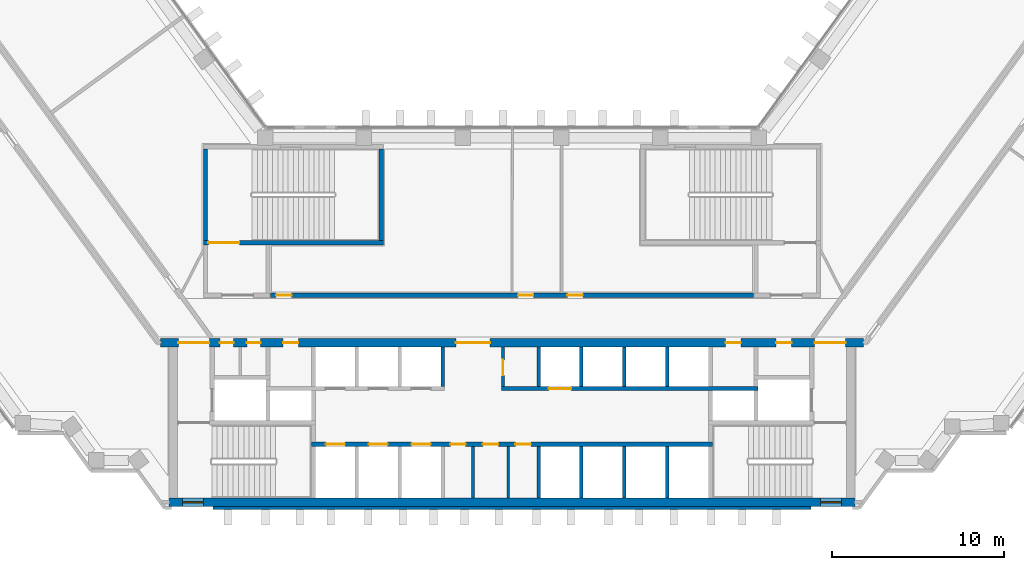
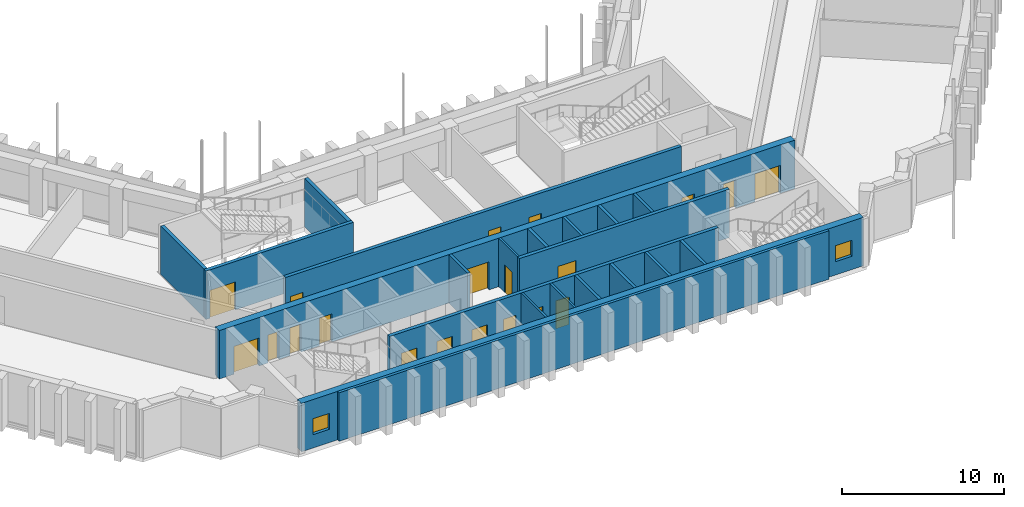
# One storey, part 12 of 19: 21 walls, 20 doors, 2 windows, 22 openings.
"""IFC4 building model written with IfcOpenShell, lengths in metres."""

from ifc_helpers import new_model, si_unit, direction, frame, frame_2d, origin, place, context, subcontext, project, spatial, rectangle, extrude, material, layer, layer_set, type_object, element, fill, save


model = new_model("IFC4")

# Units and contexts
model_context = context("Model", 3, precision=1e-05, world=origin(), true_north=direction((0.0, 1.0)))
body_context = subcontext(model_context, "Body", "Model", "MODEL_VIEW")
ifc_project = project(units=[si_unit("LENGTHUNIT", "METRE"), si_unit("AREAUNIT", "SQUARE_METRE"), si_unit("VOLUMEUNIT", "CUBIC_METRE"), si_unit("PLANEANGLEUNIT", "RADIAN"), si_unit("MASSUNIT", "GRAM", prefix="KILO")], contexts=[model_context])

# Site, building, storey
site_placement = place(None, origin())
site = spatial("IfcSite", under=ifc_project, at=site_placement, CompositionType="ELEMENT")
building_placement = place(site_placement, origin())
building = spatial("IfcBuilding", under=site, at=building_placement, Name="Quipu Civic Tower", CompositionType="ELEMENT")
storey_placement = place(building_placement, frame((0.0, 0.0, 35.0)))
storey = spatial("IfcBuildingStorey", under=building, at=storey_placement, Name="L07", CompositionType="ELEMENT", Elevation=35.0)

# Wall, openings, doors
ifc_material_1 = material(Name="Concrete C70/85", Category="concrete")
ifc_layer_1 = layer(ifc_material_1, 0.25)
ifc_layer_set_1 = layer_set([ifc_layer_1], Name="Concrete C70/85")
wall_type_1 = type_object("IfcWallType", Name="Core wall 250", PredefinedType="SHEAR", material=ifc_layer_set_1)
wall_1_placement = place(storey_placement, frame((11.699951171875, -7.375, 0.0), z_axis=(0.0, 0.0, 1.0), x_axis=(-1.0, 0.0, 0.0)))
wall_1 = element("IfcWall", 1, at=wall_1_placement, inside=storey, type_object=wall_type_1, Name="Core wall", PredefinedType="SHEAR", context=body_context, shape_type="SweptSolid", body=[
    extrude(rectangle(XDim=23.39990234375, YDim=0.25, at=frame_2d((11.699951171875, 0.0))), origin(), (0.0, 0.0, 1.0), 3.64990234375),
])
opening_1_placement = place(wall_1_placement, frame((21.449951171875, 0.0, 0.0)))
opening_1 = element("IfcOpeningElement", 2, at=opening_1_placement, cuts=wall_1, Name="Opening LD-LL1", PredefinedType="OPENING", context=body_context, shape_type="SweptSolid", body=[
    extrude(rectangle(XDim=1.10009765625, YDim=2.10009765625, at=frame_2d((0.550048828125, 1.050048828125))), frame((0.0, 0.135009765625, 0.0), z_axis=(0.0, -1.0, 0.0), x_axis=(1.0, 0.0, 0.0)), (0.0, 0.0, 1.0), 0.27001953125),
])
opening_2_placement = place(wall_1_placement, frame((18.949951171875, 0.0, 0.0)))
opening_2 = element("IfcOpeningElement", 3, at=opening_2_placement, cuts=wall_1, Name="Opening LD-LL2", PredefinedType="OPENING", context=body_context, shape_type="SweptSolid", body=[
    extrude(rectangle(XDim=1.10009765625, YDim=2.10009765625, at=frame_2d((0.550048828125, 1.050048828125))), frame((0.0, 0.135009765625, 0.0), z_axis=(0.0, -1.0, 0.0), x_axis=(1.0, 0.0, 0.0)), (0.0, 0.0, 1.0), 0.27001953125),
])
opening_3_placement = place(wall_1_placement, frame((16.449951171875, 0.0, 0.0)))
opening_3 = element("IfcOpeningElement", 4, at=opening_3_placement, cuts=wall_1, Name="Opening LD-LL3", PredefinedType="OPENING", context=body_context, shape_type="SweptSolid", body=[
    extrude(rectangle(XDim=1.10009765625, YDim=2.10009765625, at=frame_2d((0.550048828125, 1.050048828125))), frame((0.0, 0.135009765625, 0.0), z_axis=(0.0, -1.0, 0.0), x_axis=(1.0, 0.0, 0.0)), (0.0, 0.0, 1.0), 0.27001953125),
])
opening_4_placement = place(wall_1_placement, frame((14.39990234375, 0.0, 0.0)))
opening_4 = element("IfcOpeningElement", 5, at=opening_4_placement, cuts=wall_1, Name="Opening CD-01", PredefinedType="OPENING", context=body_context, shape_type="SweptSolid", body=[
    extrude(rectangle(XDim=0.89990234375, YDim=2.10009765625, at=frame_2d((0.449951171875, 1.050048828125))), frame((0.0, 0.135009765625, 0.0), z_axis=(0.0, -1.0, 0.0), x_axis=(1.0, 0.0, 0.0)), (0.0, 0.0, 1.0), 0.27001953125),
])
opening_5_placement = place(wall_1_placement, frame((12.5, 0.0, 0.0)))
opening_5 = element("IfcOpeningElement", 6, at=opening_5_placement, cuts=wall_1, Name="Opening CD-02", PredefinedType="OPENING", context=body_context, shape_type="SweptSolid", body=[
    extrude(rectangle(XDim=0.89990234375, YDim=2.10009765625, at=frame_2d((0.449951171875, 1.050048828125))), frame((0.0, 0.135009765625, 0.0), z_axis=(0.0, -1.0, 0.0), x_axis=(1.0, 0.0, 0.0)), (0.0, 0.0, 1.0), 0.27001953125),
])
opening_6_placement = place(wall_1_placement, frame((10.60009765625, 0.0, 0.0)))
opening_6 = element("IfcOpeningElement", 7, at=opening_6_placement, cuts=wall_1, Name="Opening CD-03", PredefinedType="OPENING", context=body_context, shape_type="SweptSolid", body=[
    extrude(rectangle(XDim=0.89990234375, YDim=2.10009765625, at=frame_2d((0.449951171875, 1.050048828125))), frame((0.0, 0.135009765625, 0.0), z_axis=(0.0, -1.0, 0.0), x_axis=(1.0, 0.0, 0.0)), (0.0, 0.0, 1.0), 0.27001953125),
])
ifc_material_2 = material(Name="Fire rated steel door", Category="steel")
door_type_1 = type_object("IfcDoorType", Name="Fire door FD60 900 x 2100", OperationType="NOTDEFINED", PredefinedType="DOOR", material=ifc_material_2)
door_1_placement = place(opening_4_placement, origin())
door_1 = element("IfcDoor", 8, at=door_1_placement, inside=storey, type_object=door_type_1, Name="WC door", OperationType="SINGLE_SWING_RIGHT", OverallHeight=2.10009765625, OverallWidth=0.89990234375, PredefinedType="DOOR", context=body_context, shape_type="SweptSolid", body=[
    extrude(rectangle(XDim=0.89990234375, YDim=2.10009765625, at=frame_2d((0.449951171875, 1.050048828125))), frame((0.0, 0.02490234375, 0.0), z_axis=(0.0, -1.0, 0.0), x_axis=(1.0, 0.0, 0.0)), (0.0, 0.0, 1.0), 0.050048828125),
])
fill(opening_4, door_1)
door_2_placement = place(opening_5_placement, origin())
door_2 = element("IfcDoor", 9, at=door_2_placement, inside=storey, type_object=door_type_1, Name="WC door", OperationType="SINGLE_SWING_RIGHT", OverallHeight=2.10009765625, OverallWidth=0.89990234375, PredefinedType="DOOR", context=body_context, shape_type="SweptSolid", body=[
    extrude(rectangle(XDim=0.89990234375, YDim=2.10009765625, at=frame_2d((0.449951171875, 1.050048828125))), frame((0.0, 0.02490234375, 0.0), z_axis=(0.0, -1.0, 0.0), x_axis=(1.0, 0.0, 0.0)), (0.0, 0.0, 1.0), 0.050048828125),
])
fill(opening_5, door_2)
door_3_placement = place(opening_6_placement, origin())
door_3 = element("IfcDoor", 10, at=door_3_placement, inside=storey, type_object=door_type_1, Name="WC door", OperationType="SINGLE_SWING_LEFT", OverallHeight=2.10009765625, OverallWidth=0.89990234375, PredefinedType="DOOR", context=body_context, shape_type="SweptSolid", body=[
    extrude(rectangle(XDim=0.89990234375, YDim=2.10009765625, at=frame_2d((0.449951171875, 1.050048828125))), frame((0.0, 0.02490234375, 0.0), z_axis=(0.0, -1.0, 0.0), x_axis=(1.0, 0.0, 0.0)), (0.0, 0.0, 1.0), 0.050048828125),
])
fill(opening_6, door_3)
ifc_material_3 = material(Name="Stainless steel", Category="steel")
door_type_2 = type_object("IfcDoorType", Name="Lift landing door 1100 x 2100", OperationType="DOUBLE_DOOR_SLIDING", PredefinedType="DOOR", material=ifc_material_3)
door_4_placement = place(opening_1_placement, origin())
door_4 = element("IfcDoor", 11, at=door_4_placement, inside=storey, type_object=door_type_2, Name="Landing door LL1", OperationType="DOUBLE_DOOR_SLIDING", OverallHeight=2.10009765625, OverallWidth=1.10009765625, PredefinedType="DOOR", context=body_context, shape_type="SweptSolid", body=[
    extrude(rectangle(XDim=1.10009765625, YDim=2.10009765625, at=frame_2d((0.550048828125, 1.050048828125))), frame((0.0, 0.02490234375, 0.0), z_axis=(0.0, -1.0, 0.0), x_axis=(1.0, 0.0, 0.0)), (0.0, 0.0, 1.0), 0.050048828125),
])
fill(opening_1, door_4)
door_5_placement = place(opening_2_placement, origin())
door_5 = element("IfcDoor", 12, at=door_5_placement, inside=storey, type_object=door_type_2, Name="Landing door LL2", OperationType="DOUBLE_DOOR_SLIDING", OverallHeight=2.10009765625, OverallWidth=1.10009765625, PredefinedType="DOOR", context=body_context, shape_type="SweptSolid", body=[
    extrude(rectangle(XDim=1.10009765625, YDim=2.10009765625, at=frame_2d((0.550048828125, 1.050048828125))), frame((0.0, 0.02490234375, 0.0), z_axis=(0.0, -1.0, 0.0), x_axis=(1.0, 0.0, 0.0)), (0.0, 0.0, 1.0), 0.050048828125),
])
fill(opening_2, door_5)
door_6_placement = place(opening_3_placement, origin())
door_6 = element("IfcDoor", 13, at=door_6_placement, inside=storey, type_object=door_type_2, Name="Landing door LL3", OperationType="DOUBLE_DOOR_SLIDING", OverallHeight=2.10009765625, OverallWidth=1.10009765625, PredefinedType="DOOR", context=body_context, shape_type="SweptSolid", body=[
    extrude(rectangle(XDim=1.10009765625, YDim=2.10009765625, at=frame_2d((0.550048828125, 1.050048828125))), frame((0.0, 0.02490234375, 0.0), z_axis=(0.0, -1.0, 0.0), x_axis=(1.0, 0.0, 0.0)), (0.0, 0.0, 1.0), 0.050048828125),
])
fill(opening_3, door_6)

# Wall, opening, door
wall_2_placement = place(storey_placement, frame((-0.60009765625, -4.125, 0.0), z_axis=(0.0, 0.0, 1.0), x_axis=(1.0, 0.0, 0.0)))
wall_2 = element("IfcWall", 14, at=wall_2_placement, inside=storey, type_object=wall_type_1, Name="Core wall", PredefinedType="SHEAR", context=body_context, shape_type="SweptSolid", body=[
    extrude(rectangle(XDim=14.9501953125, YDim=0.25, at=frame_2d((7.47509765625, 0.0))), origin(), (0.0, 0.0, 1.0), 3.64990234375),
])
opening_7_placement = place(wall_2_placement, frame((2.75, 0.0, 0.0)))
opening_7 = element("IfcOpeningElement", 15, at=opening_7_placement, cuts=wall_2, Name="Opening LD-FF3", PredefinedType="OPENING", context=body_context, shape_type="SweptSolid", body=[
    extrude(rectangle(XDim=1.300048828125, YDim=2.10009765625, at=frame_2d((0.64990234375, 1.050048828125))), frame((0.0, 0.135009765625, 0.0), z_axis=(0.0, -1.0, 0.0), x_axis=(1.0, 0.0, 0.0)), (0.0, 0.0, 1.0), 0.27001953125),
])
ifc_material_4 = material(Name="Stainless steel", Category="steel")
door_type_3 = type_object("IfcDoorType", Name="Lift landing door 1300 x 2100", OperationType="DOUBLE_DOOR_SLIDING", PredefinedType="DOOR", material=ifc_material_4)
door_7_placement = place(opening_7_placement, origin())
door_7 = element("IfcDoor", 16, at=door_7_placement, inside=storey, type_object=door_type_3, Name="Landing door FF3", OperationType="DOUBLE_DOOR_SLIDING", OverallHeight=2.10009765625, OverallWidth=1.300048828125, PredefinedType="DOOR", context=body_context, shape_type="SweptSolid", body=[
    extrude(rectangle(XDim=1.300048828125, YDim=2.10009765625, at=frame_2d((0.64990234375, 1.050048828125))), frame((0.0, 0.02490234375, 0.0), z_axis=(0.0, -1.0, 0.0), x_axis=(1.0, 0.0, 0.0)), (0.0, 0.0, 1.0), 0.050048828125),
])
fill(opening_7, door_7)

wall_3_placement = place(storey_placement, frame((-18.0, 4.375, 0.0), z_axis=(0.0, 0.0, 1.0), x_axis=(1.0, 0.0, 0.0)))
wall_3 = element("IfcWall", 17, at=wall_3_placement, inside=storey, type_object=wall_type_1, Name="Core wall", PredefinedType="SHEAR", context=body_context, shape_type="SweptSolid", body=[
    extrude(rectangle(XDim=10.5, YDim=0.25, at=frame_2d((5.25, 0.0))), origin(), (0.0, 0.0, 1.0), 3.64990234375),
])
opening_8_placement = place(wall_3_placement, frame((0.300048828125, 0.0, 0.0)))
opening_8 = element("IfcOpeningElement", 18, at=opening_8_placement, cuts=wall_3, Name="Opening CD-16", PredefinedType="OPENING", context=body_context, shape_type="SweptSolid", body=[
    extrude(rectangle(XDim=1.800048828125, YDim=2.10009765625, at=frame_2d((0.89990234375, 1.050048828125))), frame((0.0, 0.135009765625, 0.0), z_axis=(0.0, -1.0, 0.0), x_axis=(1.0, 0.0, 0.0)), (0.0, 0.0, 1.0), 0.27001953125),
])
ifc_material_5 = material(Name="Fire rated steel door", Category="steel")
door_type_4 = type_object("IfcDoorType", Name="Fire door FD90 double 1800 x 2100", OperationType="NOTDEFINED", PredefinedType="DOOR", material=ifc_material_5)
door_8_placement = place(opening_8_placement, origin())
door_8 = element("IfcDoor", 19, at=door_8_placement, inside=storey, type_object=door_type_4, Name="Door", OperationType="DOUBLE_DOOR_SINGLE_SWING", OverallHeight=2.10009765625, OverallWidth=1.800048828125, PredefinedType="DOOR", context=body_context, shape_type="SweptSolid", body=[
    extrude(rectangle(XDim=1.800048828125, YDim=2.10009765625, at=frame_2d((0.89990234375, 1.050048828125))), frame((0.0, 0.02490234375, 0.0), z_axis=(0.0, -1.0, 0.0), x_axis=(1.0, 0.0, 0.0)), (0.0, 0.0, 1.0), 0.050048828125),
])
fill(opening_8, door_8)

# Walls
for number, where, z_axis, x_axis, name in (
    (20, (-17.875, 4.5, 0.0), (0.0, 0.0, 1.0), (0.0, 1.0, 0.0), "Core wall"),
    (21, (-7.625, 4.5, 0.0), (0.0, 0.0, 1.0), (0.0, 1.0, 0.0), "Core wall"),
):
    element("IfcWall", number, at=place(storey_placement, frame(where, z_axis=z_axis, x_axis=x_axis)), inside=storey, type_object=wall_type_1, Name=name, PredefinedType="SHEAR", context=body_context, shape_type="SweptSolid", body=[
        extrude(rectangle(XDim=5.35009765625, YDim=0.25, at=frame_2d((2.675048828125, 0.0))), origin(), (0.0, 0.0, 1.0), 3.64990234375),
    ])

# Wall, openings, windows
ifc_material_6 = material(Name="Concrete C70/85", Category="concrete")
ifc_layer_2 = layer(ifc_material_6, 0.5)
ifc_layer_set_2 = layer_set([ifc_layer_2], Name="Concrete C70/85")
wall_type_2 = type_object("IfcWallType", Name="Core wall 500", PredefinedType="SHEAR", material=ifc_layer_set_2)
wall_4_placement = place(storey_placement, frame((-20.0, -10.75, 0.0), z_axis=(0.0, 0.0, 1.0), x_axis=(1.0, 0.0, 0.0)))
wall_4 = element("IfcWall", 22, at=wall_4_placement, inside=storey, type_object=wall_type_2, Name="Core wall", PredefinedType="SHEAR", context=body_context, shape_type="SweptSolid", body=[
    extrude(rectangle(XDim=40.0, YDim=0.5, at=frame_2d((20.0, 0.0))), origin(), (0.0, 0.0, 1.0), 3.64990234375),
])
opening_9_placement = place(wall_4_placement, frame((0.800048828125, 0.0, 1.0)))
opening_9 = element("IfcOpeningElement", 23, at=opening_9_placement, cuts=wall_4, Name="Opening SV-1", PredefinedType="OPENING", context=body_context, shape_type="SweptSolid", body=[
    extrude(rectangle(XDim=1.199951171875, YDim=1.199951171875, at=frame_2d((0.60009765625, 0.60009765625))), frame((0.0, 0.260009765625, 0.0), z_axis=(0.0, -1.0, 0.0), x_axis=(1.0, 0.0, 0.0)), (0.0, 0.0, 1.0), 0.52001953125),
])
opening_10_placement = place(wall_4_placement, frame((38.0, 0.0, 1.0)))
opening_10 = element("IfcOpeningElement", 24, at=opening_10_placement, cuts=wall_4, Name="Opening SV-2", PredefinedType="OPENING", context=body_context, shape_type="SweptSolid", body=[
    extrude(rectangle(XDim=1.199951171875, YDim=1.199951171875, at=frame_2d((0.60009765625, 0.60009765625))), frame((0.0, 0.260009765625, 0.0), z_axis=(0.0, -1.0, 0.0), x_axis=(1.0, 0.0, 0.0)), (0.0, 0.0, 1.0), 0.52001953125),
])
ifc_material_7 = material(Name="Aluminium louvre", Category="aluminium")
window_type = type_object("IfcWindowType", Name="Stair ventilation louvre 1200 x 1200", PartitioningType="SINGLE_PANEL", PredefinedType="WINDOW", material=ifc_material_7)
window_1_placement = place(opening_9_placement, origin())
window_1 = element("IfcWindow", 25, at=window_1_placement, inside=storey, type_object=window_type, Name="Stair ventilation opening", OverallHeight=1.199951171875, OverallWidth=1.199951171875, PartitioningType="SINGLE_PANEL", PredefinedType="WINDOW", context=body_context, shape_type="SweptSolid", body=[
    extrude(rectangle(XDim=1.199951171875, YDim=1.199951171875, at=frame_2d((0.60009765625, 0.60009765625))), frame((0.0, 0.030029296875, 0.0), z_axis=(0.0, -1.0, 0.0), x_axis=(1.0, 0.0, 0.0)), (0.0, 0.0, 1.0), 0.06005859375),
])
fill(opening_9, window_1)
window_2_placement = place(opening_10_placement, origin())
window_2 = element("IfcWindow", 26, at=window_2_placement, inside=storey, type_object=window_type, Name="Stair ventilation opening", OverallHeight=1.199951171875, OverallWidth=1.199951171875, PartitioningType="SINGLE_PANEL", PredefinedType="WINDOW", context=body_context, shape_type="SweptSolid", body=[
    extrude(rectangle(XDim=1.199951171875, YDim=1.199951171875, at=frame_2d((0.60009765625, 0.60009765625))), frame((0.0, 0.030029296875, 0.0), z_axis=(0.0, -1.0, 0.0), x_axis=(1.0, 0.0, 0.0)), (0.0, 0.0, 1.0), 0.06005859375),
])
fill(opening_10, window_2)

# Wall, openings, doors
wall_5_placement = place(storey_placement, frame((20.489990234375, -1.449951171875, 0.0), z_axis=(0.0, 0.0, 1.0), x_axis=(-1.0, 0.0, 0.0)))
wall_5 = element("IfcWall", 27, at=wall_5_placement, inside=storey, type_object=wall_type_2, Name="Core wall", PredefinedType="SHEAR", context=body_context, shape_type="SweptSolid", body=[
    extrude(rectangle(XDim=40.97998046875, YDim=0.5, at=frame_2d((20.489990234375, 0.0))), origin(), (0.0, 0.0, 1.0), 3.64990234375),
])
opening_11_placement = place(wall_5_placement, frame((38.139892578125, 0.0, 0.0)))
opening_11 = element("IfcOpeningElement", 28, at=opening_11_placement, cuts=wall_5, Name="Opening CD-07", PredefinedType="OPENING", context=body_context, shape_type="SweptSolid", body=[
    extrude(rectangle(XDim=1.800048828125, YDim=2.10009765625, at=frame_2d((0.89990234375, 1.050048828125))), frame((0.0, 0.260009765625, 0.0), z_axis=(0.0, -1.0, 0.0), x_axis=(1.0, 0.0, 0.0)), (0.0, 0.0, 1.0), 0.52001953125),
])
opening_12_placement = place(wall_5_placement, frame((36.7275390625, 0.0, 0.0)))
opening_12 = element("IfcOpeningElement", 29, at=opening_12_placement, cuts=wall_5, Name="Opening CD-08", PredefinedType="OPENING", context=body_context, shape_type="SweptSolid", body=[
    extrude(rectangle(XDim=0.800048828125, YDim=2.10009765625, at=frame_2d((0.39990234375, 1.050048828125))), frame((0.0, 0.260009765625, 0.0), z_axis=(0.0, -1.0, 0.0), x_axis=(1.0, 0.0, 0.0)), (0.0, 0.0, 1.0), 0.52001953125),
])
opening_13_placement = place(wall_5_placement, frame((35.152587890625, 0.0, 0.0)))
opening_13 = element("IfcOpeningElement", 30, at=opening_13_placement, cuts=wall_5, Name="Opening CD-09", PredefinedType="OPENING", context=body_context, shape_type="SweptSolid", body=[
    extrude(rectangle(XDim=0.800048828125, YDim=2.10009765625, at=frame_2d((0.39990234375, 1.050048828125))), frame((0.0, 0.260009765625, 0.0), z_axis=(0.0, -1.0, 0.0), x_axis=(1.0, 0.0, 0.0)), (0.0, 0.0, 1.0), 0.52001953125),
])
opening_14_placement = place(wall_5_placement, frame((32.93994140625, 0.0, 0.0)))
opening_14 = element("IfcOpeningElement", 31, at=opening_14_placement, cuts=wall_5, Name="Opening CD-10", PredefinedType="OPENING", context=body_context, shape_type="SweptSolid", body=[
    extrude(rectangle(XDim=0.89990234375, YDim=2.10009765625, at=frame_2d((0.449951171875, 1.050048828125))), frame((0.0, 0.260009765625, 0.0), z_axis=(0.0, -1.0, 0.0), x_axis=(1.0, 0.0, 0.0)), (0.0, 0.0, 1.0), 0.52001953125),
])
opening_15_placement = place(wall_5_placement, frame((21.764892578125, 0.0, 0.0)))
opening_15 = element("IfcOpeningElement", 32, at=opening_15_placement, cuts=wall_5, Name="Opening CD-11", PredefinedType="OPENING", context=body_context, shape_type="SweptSolid", body=[
    extrude(rectangle(XDim=2.0, YDim=2.10009765625, at=frame_2d((1.0, 1.050048828125))), frame((0.0, 0.260009765625, 0.0), z_axis=(0.0, -1.0, 0.0), x_axis=(1.0, 0.0, 0.0)), (0.0, 0.0, 1.0), 0.52001953125),
])
opening_16_placement = place(wall_5_placement, frame((7.139892578125, 0.0, 0.0)))
opening_16 = element("IfcOpeningElement", 33, at=opening_16_placement, cuts=wall_5, Name="Opening CD-12", PredefinedType="OPENING", context=body_context, shape_type="SweptSolid", body=[
    extrude(rectangle(XDim=0.89990234375, YDim=2.10009765625, at=frame_2d((0.449951171875, 1.050048828125))), frame((0.0, 0.260009765625, 0.0), z_axis=(0.0, -1.0, 0.0), x_axis=(1.0, 0.0, 0.0)), (0.0, 0.0, 1.0), 0.52001953125),
])
opening_17_placement = place(wall_5_placement, frame((4.18994140625, 0.0, 0.0)))
opening_17 = element("IfcOpeningElement", 34, at=opening_17_placement, cuts=wall_5, Name="Opening CD-13", PredefinedType="OPENING", context=body_context, shape_type="SweptSolid", body=[
    extrude(rectangle(XDim=0.89990234375, YDim=2.10009765625, at=frame_2d((0.449951171875, 1.050048828125))), frame((0.0, 0.260009765625, 0.0), z_axis=(0.0, -1.0, 0.0), x_axis=(1.0, 0.0, 0.0)), (0.0, 0.0, 1.0), 0.52001953125),
])
opening_18_placement = place(wall_5_placement, frame((1.0400390625, 0.0, 0.0)))
opening_18 = element("IfcOpeningElement", 35, at=opening_18_placement, cuts=wall_5, Name="Opening CD-14", PredefinedType="OPENING", context=body_context, shape_type="SweptSolid", body=[
    extrude(rectangle(XDim=1.800048828125, YDim=2.10009765625, at=frame_2d((0.89990234375, 1.050048828125))), frame((0.0, 0.260009765625, 0.0), z_axis=(0.0, -1.0, 0.0), x_axis=(1.0, 0.0, 0.0)), (0.0, 0.0, 1.0), 0.52001953125),
])
ifc_material_8 = material(Name="Fire rated steel door", Category="steel")
door_type_5 = type_object("IfcDoorType", Name="Fire door FD60 800 x 2100", OperationType="NOTDEFINED", PredefinedType="DOOR", material=ifc_material_8)
door_9_placement = place(opening_12_placement, origin())
door_9 = element("IfcDoor", 36, at=door_9_placement, inside=storey, type_object=door_type_5, Name="Door", OperationType="SINGLE_SWING_RIGHT", OverallHeight=2.10009765625, OverallWidth=0.800048828125, PredefinedType="DOOR", context=body_context, shape_type="SweptSolid", body=[
    extrude(rectangle(XDim=0.800048828125, YDim=2.10009765625, at=frame_2d((0.39990234375, 1.050048828125))), frame((0.0, 0.02490234375, 0.0), z_axis=(0.0, -1.0, 0.0), x_axis=(1.0, 0.0, 0.0)), (0.0, 0.0, 1.0), 0.050048828125),
])
fill(opening_12, door_9)
door_10_placement = place(opening_13_placement, origin())
door_10 = element("IfcDoor", 37, at=door_10_placement, inside=storey, type_object=door_type_5, Name="Door", OperationType="SINGLE_SWING_RIGHT", OverallHeight=2.10009765625, OverallWidth=0.800048828125, PredefinedType="DOOR", context=body_context, shape_type="SweptSolid", body=[
    extrude(rectangle(XDim=0.800048828125, YDim=2.10009765625, at=frame_2d((0.39990234375, 1.050048828125))), frame((0.0, 0.02490234375, 0.0), z_axis=(0.0, -1.0, 0.0), x_axis=(1.0, 0.0, 0.0)), (0.0, 0.0, 1.0), 0.050048828125),
])
fill(opening_13, door_10)
door_11_placement = place(opening_14_placement, origin())
door_11 = element("IfcDoor", 38, at=door_11_placement, inside=storey, type_object=door_type_1, Name="Riser door", OperationType="SINGLE_SWING_RIGHT", OverallHeight=2.10009765625, OverallWidth=0.89990234375, PredefinedType="DOOR", context=body_context, shape_type="SweptSolid", body=[
    extrude(rectangle(XDim=0.89990234375, YDim=2.10009765625, at=frame_2d((0.449951171875, 1.050048828125))), frame((0.0, 0.02490234375, 0.0), z_axis=(0.0, -1.0, 0.0), x_axis=(1.0, 0.0, 0.0)), (0.0, 0.0, 1.0), 0.050048828125),
])
fill(opening_14, door_11)
door_12_placement = place(opening_16_placement, origin())
door_12 = element("IfcDoor", 39, at=door_12_placement, inside=storey, type_object=door_type_1, Name="Riser door", OperationType="SINGLE_SWING_LEFT", OverallHeight=2.10009765625, OverallWidth=0.89990234375, PredefinedType="DOOR", context=body_context, shape_type="SweptSolid", body=[
    extrude(rectangle(XDim=0.89990234375, YDim=2.10009765625, at=frame_2d((0.449951171875, 1.050048828125))), frame((0.0, 0.02490234375, 0.0), z_axis=(0.0, -1.0, 0.0), x_axis=(1.0, 0.0, 0.0)), (0.0, 0.0, 1.0), 0.050048828125),
])
fill(opening_16, door_12)
door_13_placement = place(opening_17_placement, origin())
door_13 = element("IfcDoor", 40, at=door_13_placement, inside=storey, type_object=door_type_1, Name="Door", OperationType="SINGLE_SWING_LEFT", OverallHeight=2.10009765625, OverallWidth=0.89990234375, PredefinedType="DOOR", context=body_context, shape_type="SweptSolid", body=[
    extrude(rectangle(XDim=0.89990234375, YDim=2.10009765625, at=frame_2d((0.449951171875, 1.050048828125))), frame((0.0, 0.02490234375, 0.0), z_axis=(0.0, -1.0, 0.0), x_axis=(1.0, 0.0, 0.0)), (0.0, 0.0, 1.0), 0.050048828125),
])
fill(opening_17, door_13)
door_14_placement = place(opening_11_placement, origin())
door_14 = element("IfcDoor", 41, at=door_14_placement, inside=storey, type_object=door_type_4, Name="Lobby door", OperationType="DOUBLE_DOOR_SINGLE_SWING", OverallHeight=2.10009765625, OverallWidth=1.800048828125, PredefinedType="DOOR", context=body_context, shape_type="SweptSolid", body=[
    extrude(rectangle(XDim=1.800048828125, YDim=2.10009765625, at=frame_2d((0.89990234375, 1.050048828125))), frame((0.0, 0.02490234375, 0.0), z_axis=(0.0, -1.0, 0.0), x_axis=(1.0, 0.0, 0.0)), (0.0, 0.0, 1.0), 0.050048828125),
])
fill(opening_11, door_14)
door_15_placement = place(opening_18_placement, origin())
door_15 = element("IfcDoor", 42, at=door_15_placement, inside=storey, type_object=door_type_4, Name="Lobby door", OperationType="DOUBLE_DOOR_SINGLE_SWING", OverallHeight=2.10009765625, OverallWidth=1.800048828125, PredefinedType="DOOR", context=body_context, shape_type="SweptSolid", body=[
    extrude(rectangle(XDim=1.800048828125, YDim=2.10009765625, at=frame_2d((0.89990234375, 1.050048828125))), frame((0.0, 0.02490234375, 0.0), z_axis=(0.0, -1.0, 0.0), x_axis=(1.0, 0.0, 0.0)), (0.0, 0.0, 1.0), 0.050048828125),
])
fill(opening_18, door_15)
ifc_material_9 = material(Name="Fire rated steel door", Category="steel")
door_type_6 = type_object("IfcDoorType", Name="Fire door FD90 double 2000 x 2100", OperationType="NOTDEFINED", PredefinedType="DOOR", material=ifc_material_9)
door_16_placement = place(opening_15_placement, origin())
door_16 = element("IfcDoor", 43, at=door_16_placement, inside=storey, type_object=door_type_6, Name="Lobby door", OperationType="DOUBLE_DOOR_SINGLE_SWING", OverallHeight=2.10009765625, OverallWidth=2.0, PredefinedType="DOOR", context=body_context, shape_type="SweptSolid", body=[
    extrude(rectangle(XDim=2.0, YDim=2.10009765625, at=frame_2d((1.0, 1.050048828125))), frame((0.0, 0.02490234375, 0.0), z_axis=(0.0, -1.0, 0.0), x_axis=(1.0, 0.0, 0.0)), (0.0, 0.0, 1.0), 0.050048828125),
])
fill(opening_15, door_16)

ifc_material_10 = material(Name="Concrete C50/60", Category="concrete")
ifc_layer_3 = layer(ifc_material_10, 0.25)
ifc_layer_set_3 = layer_set([ifc_layer_3], Name="Concrete C50/60")
wall_type_3 = type_object("IfcWallType", Name="Corridor wall 250 concrete", PredefinedType="SOLIDWALL", material=ifc_layer_set_3)
wall_6_placement = place(storey_placement, frame((-14.090087890625, 1.324951171875, 0.0), z_axis=(0.0, 0.0, 1.0), x_axis=(1.0, 0.0, 0.0)))
wall_6 = element("IfcWall", 44, at=wall_6_placement, inside=storey, type_object=wall_type_3, Name="Corridor wall C05", PredefinedType="SOLIDWALL", context=body_context, shape_type="SweptSolid", body=[
    extrude(rectangle(XDim=28.18017578125, YDim=0.25, at=frame_2d((14.090087890625, 0.0))), origin(), (0.0, 0.0, 1.0), 3.64990234375),
])
opening_19_placement = place(wall_6_placement, frame((17.319091796875, 0.0, 0.0)))
opening_19 = element("IfcOpeningElement", 45, at=opening_19_placement, cuts=wall_6, Name="Opening D012", PredefinedType="OPENING", context=body_context, shape_type="SweptSolid", body=[
    extrude(rectangle(XDim=0.89990234375, YDim=2.10009765625, at=frame_2d((0.449951171875, 1.050048828125))), frame((0.0, 0.135009765625, 0.0), z_axis=(0.0, -1.0, 0.0), x_axis=(1.0, 0.0, 0.0)), (0.0, 0.0, 1.0), 0.27001953125),
])
opening_20_placement = place(wall_6_placement, frame((14.43994140625, 0.0, 0.0)))
opening_20 = element("IfcOpeningElement", 46, at=opening_20_placement, cuts=wall_6, Name="Opening D011", PredefinedType="OPENING", context=body_context, shape_type="SweptSolid", body=[
    extrude(rectangle(XDim=0.89990234375, YDim=2.10009765625, at=frame_2d((0.449951171875, 1.050048828125))), frame((0.0, 0.135009765625, 0.0), z_axis=(0.0, -1.0, 0.0), x_axis=(1.0, 0.0, 0.0)), (0.0, 0.0, 1.0), 0.27001953125),
])
opening_21_placement = place(wall_6_placement, frame((0.340087890625, 0.0, 0.0)))
opening_21 = element("IfcOpeningElement", 47, at=opening_21_placement, cuts=wall_6, Name="Opening D010", PredefinedType="OPENING", context=body_context, shape_type="SweptSolid", body=[
    extrude(rectangle(XDim=0.89990234375, YDim=2.10009765625, at=frame_2d((0.449951171875, 1.050048828125))), frame((0.0, 0.135009765625, 0.0), z_axis=(0.0, -1.0, 0.0), x_axis=(1.0, 0.0, 0.0)), (0.0, 0.0, 1.0), 0.27001953125),
])
ifc_material_11 = material(Name="Fire rated timber door set with metal frame", Category="wood")
door_type_7 = type_object("IfcDoorType", Name="Single door 900 x 2100 FD60", OperationType="NOTDEFINED", PredefinedType="DOOR", material=ifc_material_11)
door_17_placement = place(opening_19_placement, origin())
door_17 = element("IfcDoor", 48, at=door_17_placement, inside=storey, type_object=door_type_7, Name="Door D012", OperationType="SINGLE_SWING_LEFT", OverallHeight=2.10009765625, OverallWidth=0.89990234375, PredefinedType="DOOR", context=body_context, shape_type="SweptSolid", body=[
    extrude(rectangle(XDim=0.89990234375, YDim=2.10009765625, at=frame_2d((0.449951171875, 1.050048828125))), frame((0.0, 0.02490234375, 0.0), z_axis=(0.0, -1.0, 0.0), x_axis=(1.0, 0.0, 0.0)), (0.0, 0.0, 1.0), 0.050048828125),
])
fill(opening_19, door_17)
door_18_placement = place(opening_20_placement, origin())
door_18 = element("IfcDoor", 49, at=door_18_placement, inside=storey, type_object=door_type_7, Name="Door D011", OperationType="SINGLE_SWING_LEFT", OverallHeight=2.10009765625, OverallWidth=0.89990234375, PredefinedType="DOOR", context=body_context, shape_type="SweptSolid", body=[
    extrude(rectangle(XDim=0.89990234375, YDim=2.10009765625, at=frame_2d((0.449951171875, 1.050048828125))), frame((0.0, 0.02490234375, 0.0), z_axis=(0.0, -1.0, 0.0), x_axis=(1.0, 0.0, 0.0)), (0.0, 0.0, 1.0), 0.050048828125),
])
fill(opening_20, door_18)
door_19_placement = place(opening_21_placement, origin())
door_19 = element("IfcDoor", 50, at=door_19_placement, inside=storey, type_object=door_type_7, Name="Door D010", OperationType="SINGLE_SWING_LEFT", OverallHeight=2.10009765625, OverallWidth=0.89990234375, PredefinedType="DOOR", context=body_context, shape_type="SweptSolid", body=[
    extrude(rectangle(XDim=0.89990234375, YDim=2.10009765625, at=frame_2d((0.449951171875, 1.050048828125))), frame((0.0, 0.02490234375, 0.0), z_axis=(0.0, -1.0, 0.0), x_axis=(1.0, 0.0, 0.0)), (0.0, 0.0, 1.0), 0.050048828125),
])
fill(opening_21, door_19)

# Walls
ifc_material_12 = material(Name="Gypsum board partition")
ifc_layer_4 = layer(ifc_material_12, 0.14990234375)
ifc_layer_set_4 = layer_set([ifc_layer_4], Name="Gypsum board partition")
wall_type_4 = type_object("IfcWallType", Name="Partition 150", PredefinedType="PARTITIONING", material=ifc_layer_set_4)
for number, where, z_axis, x_axis, name in (
    (51, (-2.27490234375, -10.5, 0.0), (0.0, 0.0, 1.0), (0.0, 1.0, 0.0), "Partition"),
    (52, (-0.22509765625, -10.5, 0.0), (0.0, 0.0, 1.0), (0.0, 1.0, 0.0), "Partition"),
):
    element("IfcWall", number, at=place(storey_placement, frame(where, z_axis=z_axis, x_axis=x_axis)), inside=storey, type_object=wall_type_4, Name=name, PredefinedType="PARTITIONING", context=body_context, shape_type="SweptSolid", body=[
        extrude(rectangle(XDim=3.0, YDim=0.14990234375, at=frame_2d((1.5, 0.0))), origin(), (0.0, 0.0, 1.0), 3.64990234375),
    ])

# Wall, opening, door
wall_7_placement = place(storey_placement, frame((-0.52490234375, -4.0, 0.0), z_axis=(0.0, 0.0, 1.0), x_axis=(0.0, 1.0, 0.0)))
wall_7 = element("IfcWall", 53, at=wall_7_placement, inside=storey, type_object=wall_type_4, Name="Partition", PredefinedType="PARTITIONING", context=body_context, shape_type="SweptSolid", body=[
    extrude(rectangle(XDim=2.300048828125, YDim=0.14990234375, at=frame_2d((1.14990234375, 0.0))), origin(), (0.0, 0.0, 1.0), 3.64990234375),
])
opening_22_placement = place(wall_7_placement, frame((0.64990234375, 0.0, 0.0)))
opening_22 = element("IfcOpeningElement", 54, at=opening_22_placement, cuts=wall_7, Name="Opening CD-06", PredefinedType="OPENING", context=body_context, shape_type="SweptSolid", body=[
    extrude(rectangle(XDim=0.89990234375, YDim=2.10009765625, at=frame_2d((0.449951171875, 1.050048828125))), frame((0.0, 0.0849609375, 0.0), z_axis=(0.0, -1.0, 0.0), x_axis=(1.0, 0.0, 0.0)), (0.0, 0.0, 1.0), 0.169921875),
])
door_20_placement = place(opening_22_placement, origin())
door_20 = element("IfcDoor", 55, at=door_20_placement, inside=storey, type_object=door_type_1, Name="WC door", OperationType="SINGLE_SWING_LEFT", OverallHeight=2.10009765625, OverallWidth=0.89990234375, PredefinedType="DOOR", context=body_context, shape_type="SweptSolid", body=[
    extrude(rectangle(XDim=0.89990234375, YDim=2.10009765625, at=frame_2d((0.449951171875, 1.050048828125))), frame((0.0, 0.02490234375, 0.0), z_axis=(0.0, -1.0, 0.0), x_axis=(1.0, 0.0, 0.0)), (0.0, 0.0, 1.0), 0.050048828125),
])
fill(opening_22, door_20)

# Walls
ifc_material_13 = material(Name="Precast concrete C40/50", Category="concrete")
wall_type_5 = type_object("IfcWallType", Name="Precast cladding wall", PredefinedType="SOLIDWALL", material=ifc_material_13)
wall_8_placement = place(storey_placement, frame((-17.44384765625, -11.087890625, 0.0), z_axis=(0.0, 0.0, 1.0), x_axis=(1.0, 0.0, 0.0)))
element("IfcWall", 56, at=wall_8_placement, inside=storey, type_object=wall_type_5, Name="Precast cladding wall L07 P06", PredefinedType="SOLIDWALL", context=body_context, shape_type="SweptSolid", body=[
    extrude(rectangle(XDim=34.8876953125, YDim=0.199951171875, at=frame_2d((17.44384765625, 0.0))), origin(), (0.0, 0.0, 1.0), 3.64990234375),
])
ifc_material_14 = material(Name="Concrete C40/50", Category="concrete")
ifc_layer_5 = layer(ifc_material_14, 0.199951171875)
ifc_layer_set_5 = layer_set([ifc_layer_5], Name="Concrete C40/50")
wall_type_6 = type_object("IfcWallType", Name="Shaft wall 200", PredefinedType="SOLIDWALL", material=ifc_layer_set_5)
for number, where, z_axis, x_axis, name in (
    (57, (1.550048828125, -10.5, 0.0), (0.0, 0.0, 1.0), (0.0, 1.0, 0.0), "Shaft wall"),
    (58, (4.050048828125, -10.5, 0.0), (0.0, 0.0, 1.0), (0.0, 1.0, 0.0), "Shaft wall"),
    (59, (6.550048828125, -10.5, 0.0), (0.0, 0.0, 1.0), (0.0, 1.0, 0.0), "Shaft wall"),
    (60, (9.050048828125, -10.5, 0.0), (0.0, 0.0, 1.0), (0.0, 1.0, 0.0), "Shaft wall"),
):
    element("IfcWall", number, at=place(storey_placement, frame(where, z_axis=z_axis, x_axis=x_axis)), inside=storey, type_object=wall_type_6, Name=name, PredefinedType="SOLIDWALL", context=body_context, shape_type="SweptSolid", body=[
        extrude(rectangle(XDim=3.0, YDim=0.199951171875, at=frame_2d((1.5, 0.0))), origin(), (0.0, 0.0, 1.0), 3.64990234375),
    ])
for number, where, z_axis, x_axis, name in (
    (61, (-4.050048828125, -4.0, 0.0), (0.0, 0.0, 1.0), (0.0, 1.0, 0.0), "Shaft wall"),
    (62, (1.550048828125, -4.0, 0.0), (0.0, 0.0, 1.0), (0.0, 1.0, 0.0), "Shaft wall"),
    (63, (4.050048828125, -4.0, 0.0), (0.0, 0.0, 1.0), (0.0, 1.0, 0.0), "Shaft wall"),
    (64, (6.550048828125, -4.0, 0.0), (0.0, 0.0, 1.0), (0.0, 1.0, 0.0), "Shaft wall"),
    (65, (9.050048828125, -4.0, 0.0), (0.0, 0.0, 1.0), (0.0, 1.0, 0.0), "Shaft wall"),
):
    element("IfcWall", number, at=place(storey_placement, frame(where, z_axis=z_axis, x_axis=x_axis)), inside=storey, type_object=wall_type_6, Name=name, PredefinedType="SOLIDWALL", context=body_context, shape_type="SweptSolid", body=[
        extrude(rectangle(XDim=2.300048828125, YDim=0.199951171875, at=frame_2d((1.14990234375, 0.0))), origin(), (0.0, 0.0, 1.0), 3.64990234375),
    ])

save(model, "model.ifc")
